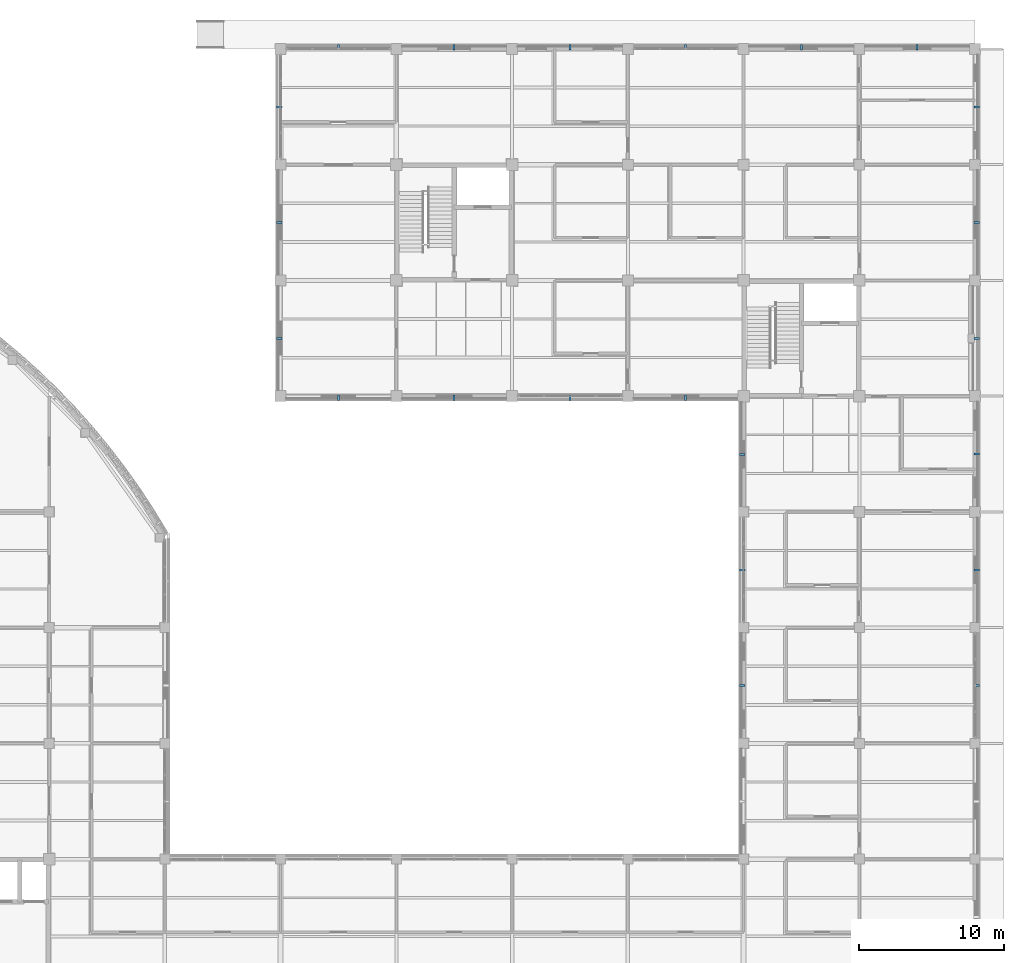
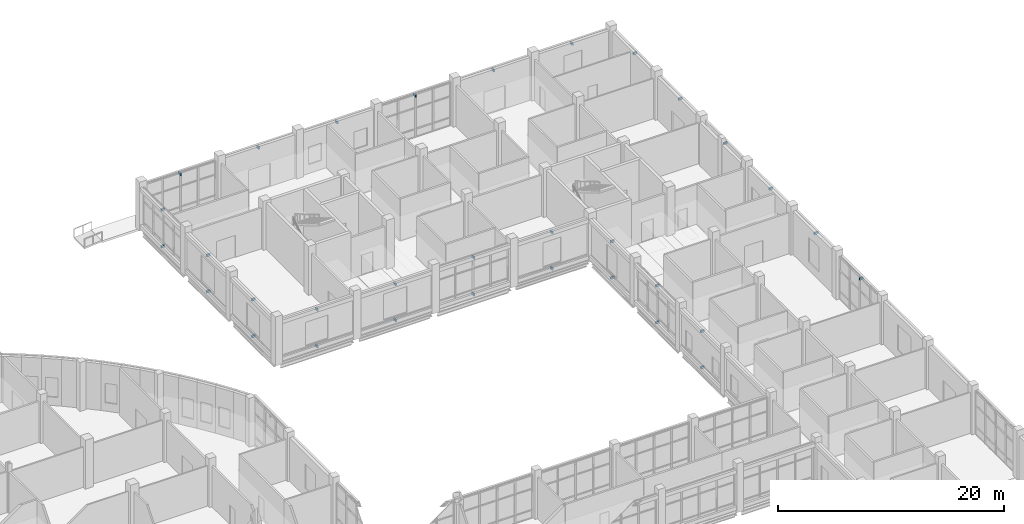
# One storey, part 91 of 105: 32 discrete accessories.
"""IFC4 building model written with IfcOpenShell, lengths in metres."""

from ifc_helpers import new_model, si_unit, derived_unit, direction, frame, origin, origin_2d, place, context, subcontext, project, spatial, rectangle, extrude, material, type_object, element, save


model = new_model("IFC4")

# Units and contexts
model_context = context("Model", 3, precision=1e-05, world=origin(), true_north=direction((0.0, 1.0)))
body_context = subcontext(model_context, "Body", "Model", "MODEL_VIEW")
ifc_project = project(units=[si_unit("LENGTHUNIT", "METRE"), si_unit("AREAUNIT", "SQUARE_METRE"), si_unit("VOLUMEUNIT", "CUBIC_METRE"), si_unit("PLANEANGLEUNIT", "RADIAN"), si_unit("MASSUNIT", "GRAM", prefix="KILO"), derived_unit("THERMALTRANSMITTANCEUNIT", [(si_unit("MASSUNIT", "GRAM", prefix="KILO"), 1), (si_unit("TIMEUNIT", "SECOND"), -3), (si_unit("THERMODYNAMICTEMPERATUREUNIT", "KELVIN"), -1)])], contexts=[model_context])

# Site, building, storey
site_placement = place(None, origin())
site = spatial("IfcSite", under=ifc_project, at=site_placement, CompositionType="ELEMENT")
building_placement = place(site_placement, origin())
building = spatial("IfcBuilding", under=site, at=building_placement, Name="Veyamyaing Civic Hall", CompositionType="ELEMENT")
storey_placement = place(building_placement, origin())
storey = spatial("IfcBuildingStorey", under=building, at=storey_placement, Name="L00", CompositionType="ELEMENT", Elevation=0.0)

# Discrete accessories
ifc_material = material(Name="Steel S355J2", Category="steel")
discrete_accessory_type = type_object("IfcDiscreteAccessoryType", Name="BK-01", PredefinedType="BRACKET", material=ifc_material)
for number, where, z_axis, x_axis, name in (
    (1, (132.0, 87.89990234375, 4.3369140625), (0.0, 0.0, 1.0), (0.0, -1.0, 0.0), "Sunshade anchor bracket BK-01 L00 S 17.12"),
    (2, (132.0, 87.89990234375, 0.35986328125), (0.0, 0.0, 1.0), (0.0, -1.0, 0.0), "Lower ribbon anchor bracket BK-01 L00 S 17.12"),
    (3, (127.89990234375, 92.0, 4.3369140625), (0.0, 0.0, 1.0), (-1.0, 0.0, 0.0), "Sunshade anchor bracket BK-01 L00 W 17.12"),
    (4, (127.89990234375, 92.0, 0.35986328125), (0.0, 0.0, 1.0), (-1.0, 0.0, 0.0), "Lower ribbon anchor bracket BK-01 L00 W 17.12"),
    (5, (127.89990234375, 100.0, 4.27001953125), (0.0, 0.0, 1.0), (-1.0, 0.0, 0.0), "Sunshade anchor bracket BK-01 L00 W 17.13"),
    (6, (127.89990234375, 100.0, 0.35986328125), (0.0, 0.0, 1.0), (-1.0, 0.0, 0.0), "Lower ribbon anchor bracket BK-01 L00 W 17.13"),
    (7, (132.0, 112.10009765625, 4.27392578125), (0.0, 0.0, 1.0), (0.0, 1.0, 0.0), "Sunshade anchor bracket BK-01 L00 N 17.14"),
    (8, (127.89990234375, 108.0, 4.333984375), (0.0, 0.0, 1.0), (-1.0, 0.0, 0.0), "Sunshade anchor bracket BK-01 L00 W 17.14"),
    (9, (127.89990234375, 108.0, 0.35986328125), (0.0, 0.0, 1.0), (-1.0, 0.0, 0.0), "Lower ribbon anchor bracket BK-01 L00 W 17.14"),
    (10, (140.0, 87.89990234375, 4.27001953125), (0.0, 0.0, 1.0), (0.0, -1.0, 0.0), "Sunshade anchor bracket BK-01 L00 S 18.12"),
    (11, (140.0, 87.89990234375, 0.35986328125), (0.0, 0.0, 1.0), (0.0, -1.0, 0.0), "Lower ribbon anchor bracket BK-01 L00 S 18.12"),
    (12, (140.0, 112.10009765625, 4.3369140625), (0.0, 0.0, 1.0), (0.0, 1.0, 0.0), "Sunshade anchor bracket BK-01 L00 N 18.14"),
    (13, (148.0, 87.89990234375, 4.333984375), (0.0, 0.0, 1.0), (0.0, -1.0, 0.0), "Sunshade anchor bracket BK-01 L00 S 19.12"),
    (14, (148.0, 87.89990234375, 0.35986328125), (0.0, 0.0, 1.0), (0.0, -1.0, 0.0), "Lower ribbon anchor bracket BK-01 L00 S 19.12"),
    (15, (148.0, 112.10009765625, 4.27001953125), (0.0, 0.0, 1.0), (0.0, 1.0, 0.0), "Sunshade anchor bracket BK-01 L00 N 19.14"),
    (16, (155.987548828125, 87.89990234375, 4.27392578125), (0.0, 0.0, 1.0), (0.0, -1.0, 0.0), "Sunshade anchor bracket BK-01 L00 S 20.12"),
    (17, (155.987548828125, 87.89990234375, 0.35986328125), (0.0, 0.0, 1.0), (0.0, -1.0, 0.0), "Lower ribbon anchor bracket BK-01 L00 S 20.12"),
    (18, (156.0, 112.10009765625, 4.333984375), (0.0, 0.0, 1.0), (0.0, 1.0, 0.0), "Sunshade anchor bracket BK-01 L00 N 20.14"),
    (19, (159.89990234375, 68.0, 4.27490234375), (0.0, 0.0, 1.0), (-1.0, 0.0, 0.0), "Sunshade anchor bracket BK-01 L00 W 21.9"),
    (20, (159.89990234375, 68.0, 0.35986328125), (0.0, 0.0, 1.0), (-1.0, 0.0, 0.0), "Lower ribbon anchor bracket BK-01 L00 W 21.9"),
    (21, (159.89990234375, 76.0, 4.3388671875), (0.0, 0.0, 1.0), (-1.0, 0.0, 0.0), "Sunshade anchor bracket BK-01 L00 W 21.10"),
    (22, (159.89990234375, 76.0, 0.35986328125), (0.0, 0.0, 1.0), (-1.0, 0.0, 0.0), "Lower ribbon anchor bracket BK-01 L00 W 21.10"),
    (23, (159.89990234375, 83.97509765625, 4.27880859375), (0.0, 0.0, 1.0), (-1.0, 0.0, 0.0), "Sunshade anchor bracket BK-01 L00 W 21.11"),
    (24, (159.89990234375, 83.97509765625, 0.35986328125), (0.0, 0.0, 1.0), (-1.0, 0.0, 0.0), "Lower ribbon anchor bracket BK-01 L00 W 21.11"),
    (25, (164.0, 112.10009765625, 4.27392578125), (0.0, 0.0, 1.0), (0.0, 1.0, 0.0), "Sunshade anchor bracket BK-01 L00 N 21.14"),
    (26, (176.10009765625, 68.0, 4.27392578125), (0.0, 0.0, 1.0), (1.0, 0.0, 0.0), "Sunshade anchor bracket BK-01 L00 E 22.9"),
    (27, (176.10009765625, 75.987548828125, 4.3369140625), (0.0, 0.0, 1.0), (1.0, 0.0, 0.0), "Sunshade anchor bracket BK-01 L00 E 22.10"),
    (28, (176.10009765625, 84.0, 4.27001953125), (0.0, 0.0, 1.0), (1.0, 0.0, 0.0), "Sunshade anchor bracket BK-01 L00 E 22.11"),
    (29, (176.10009765625, 92.0, 4.333984375), (0.0, 0.0, 1.0), (1.0, 0.0, 0.0), "Sunshade anchor bracket BK-01 L00 E 22.12"),
    (30, (176.10009765625, 100.0, 4.27392578125), (0.0, 0.0, 1.0), (1.0, 0.0, 0.0), "Sunshade anchor bracket BK-01 L00 E 22.13"),
    (31, (172.0, 112.10009765625, 4.3369140625), (0.0, 0.0, 1.0), (0.0, 1.0, 0.0), "Sunshade anchor bracket BK-01 L00 N 22.14"),
    (32, (176.10009765625, 108.0, 4.3369140625), (0.0, 0.0, 1.0), (1.0, 0.0, 0.0), "Sunshade anchor bracket BK-01 L00 E 22.14"),
):
    element("IfcDiscreteAccessory", number, at=place(storey_placement, frame(where, z_axis=z_axis, x_axis=x_axis)), inside=storey, type_object=discrete_accessory_type, Name=name, PredefinedType="BRACKET", context=body_context, shape_type="SweptSolid", body=[
        extrude(rectangle(XDim=0.3798828125, YDim=0.139892578125, at=origin_2d()), origin(), (0.0, 0.0, 1.0), 0.239990234375),
    ])

save(model, "model.ifc")
